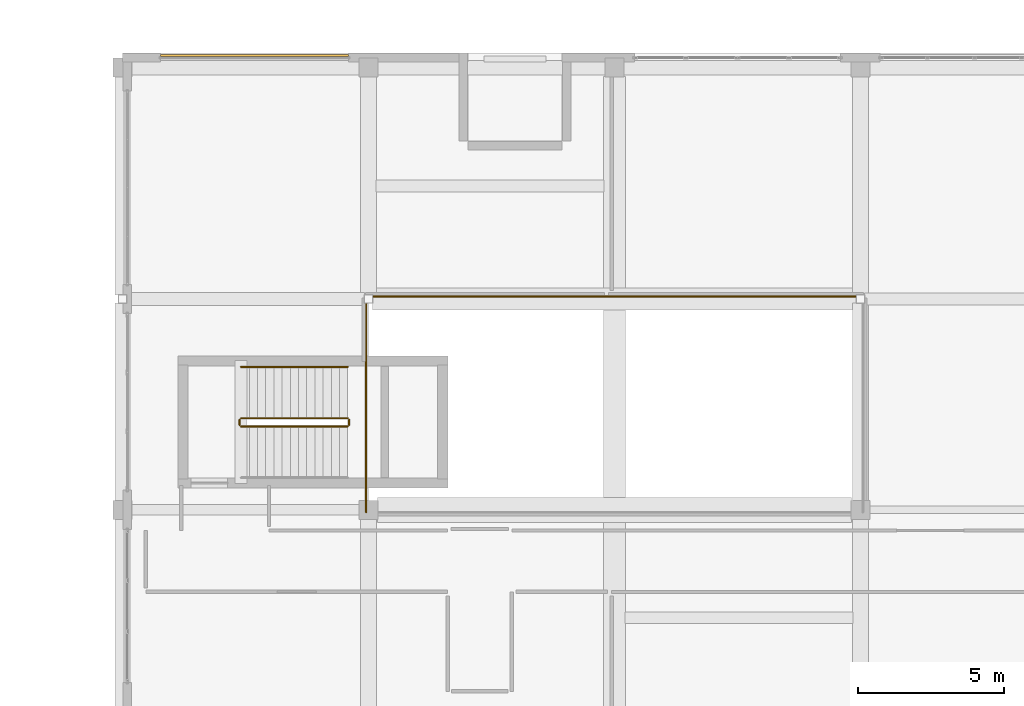
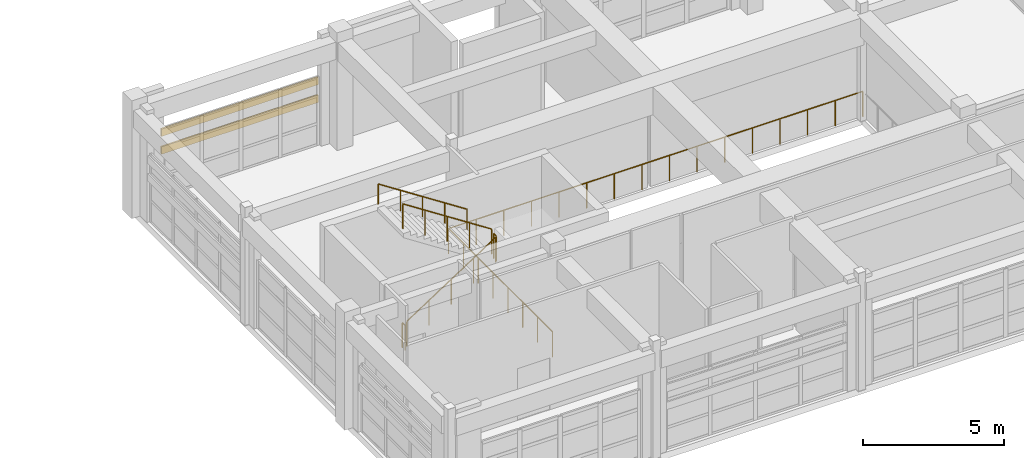
# One storey, part 102 of 103: 7 railings, 2 shading devices.
"""IFC4 building model written with IfcOpenShell, lengths in metres."""

import ifcopenshell
import ifcopenshell.guid

model = None  # the IFC model being written
_history = None  # IfcOwnerHistory: only IFC2X3 demands one
_inside = {}  # id of a spatial element -> (the spatial element, [elements in it])
_under = {}  # id of a project, library or spatial element -> (it, [spatial elements below it])
_declared = {}  # id of a project -> (the project, [libraries it declares])
_typed = {}  # id of a type object -> (the type object, [elements of that type])
_made_of = {}  # id of a material, layer set ... -> (it, [elements and type objects made of it])


def new_model(schema):
    """Start an empty IFC model of exactly this schema.

    Asked for "IFC4X3", IfcOpenShell would pick the latest addendum, in which some entities
    have other attributes; the version numbers below select the first issue.
    IFC2X3 requires an IfcOwnerHistory on every rooted entity: one is made here for all.
    """
    global model, _history
    if schema == "IFC4X3":
        model = ifcopenshell.file(schema_version=(4, 3, 0, 0))
    else:
        model = ifcopenshell.file(schema=schema)
    _inside.clear()
    _under.clear()
    _declared.clear()
    _typed.clear()
    _made_of.clear()
    _history = None
    if model.schema == "IFC2X3":
        org = make("IfcOrganization", Name="unknown")
        user = make(
            "IfcPersonAndOrganization",
            ThePerson=make("IfcPerson", FamilyName="unknown"),
            TheOrganization=org,
        )
        app = make(
            "IfcApplication",
            ApplicationDeveloper=org,
            Version="unknown",
            ApplicationFullName="unknown",
            ApplicationIdentifier="unknown",
        )
        _history = make(
            "IfcOwnerHistory",
            OwningUser=user,
            OwningApplication=app,
            ChangeAction="ADDED",
            CreationDate=0,
        )
    return model


def make(cls, **values):
    """One entity of the class cls with the attributes given. An attribute that is None is left unset."""
    return model.create_entity(
        cls, **{name: value for name, value in values.items() if value is not None}
    )


def rooted(cls, **values):
    """An entity with a GlobalId (a new one), such as an element, a storey or a relation."""
    return make(cls, GlobalId=ifcopenshell.guid.new(), OwnerHistory=_history, **values)


def si_unit(unit_type, name, prefix=None):
    """IfcSIUnit, for example si_unit("LENGTHUNIT", "METRE", prefix="MILLI")."""
    return make("IfcSIUnit", UnitType=unit_type, Prefix=prefix, Name=name)


def assignment(units):
    """IfcUnitAssignment: the units of a project."""
    return None if units is None else make("IfcUnitAssignment", Units=units)


def point(xyz):
    """IfcCartesianPoint."""
    return None if xyz is None else make("IfcCartesianPoint", Coordinates=xyz)


def direction(xyz):
    """IfcDirection."""
    return None if xyz is None else make("IfcDirection", DirectionRatios=xyz)


def frame(location, z_axis=None, x_axis=None):
    """IfcAxis2Placement3D, a coordinate frame: its origin and axes. An axis left out is left unset."""
    return make(
        "IfcAxis2Placement3D",
        Location=point(location),
        Axis=direction(z_axis),
        RefDirection=direction(x_axis),
    )


def frame_2d(location, x_axis=None):
    """IfcAxis2Placement2D, a coordinate frame in the plane: its origin and x axis."""
    return make(
        "IfcAxis2Placement2D", Location=point(location), RefDirection=direction(x_axis)
    )


def origin():
    """The frame at (0, 0, 0) with its axes left unset."""
    return frame((0.0, 0.0, 0.0))


def origin_2d():
    """The frame at (0, 0) in the plane with its x axis left unset."""
    return frame_2d((0.0, 0.0))


def place(relative_to, where):
    """IfcLocalPlacement: puts the frame where relative to a parent placement (None: the world)."""
    return make(
        "IfcLocalPlacement", PlacementRelTo=relative_to, RelativePlacement=where
    )


def context(
    kind, dimensions, precision=None, world=None, true_north=None, identifier=None
):
    """IfcGeometricRepresentationContext, for example the 3D "Model" context."""
    return make(
        "IfcGeometricRepresentationContext",
        ContextIdentifier=identifier,
        ContextType=kind,
        CoordinateSpaceDimension=dimensions,
        Precision=precision,
        WorldCoordinateSystem=world,
        TrueNorth=true_north,
    )


def subcontext(parent, identifier, kind, view, scale=None):
    """IfcGeometricRepresentationSubContext, for example "Body" below "Model"."""
    return make(
        "IfcGeometricRepresentationSubContext",
        ContextIdentifier=identifier,
        ContextType=kind,
        ParentContext=parent,
        TargetScale=scale,
        TargetView=view,
    )


def project(units=None, contexts=None):
    """IfcProject with its units and contexts."""
    return rooted(
        "IfcProject",
        Name="project",
        RepresentationContexts=contexts,
        UnitsInContext=assignment(units),
    )


def spatial(cls, under=None, at=None, **own):
    """A site, building, storey or space (cls), placed at a placement, below another one or the project."""
    s = rooted(cls, ObjectPlacement=at, **own)
    if under is not None:
        _under.setdefault(under.id(), (under, []))[1].append(s)
    return s


def profile(cls, at=None, kind="AREA", **sizes):
    """A parametric profile (cls). Its sizes go by their IFC names, for example OverallWidth=200.0."""
    return make(cls, ProfileType=kind, Position=at, **sizes)


def hollow_rectangle(**sizes):
    """IfcRectangleHollowProfileDef."""
    return profile("IfcRectangleHollowProfileDef", **sizes)


def circle(**sizes):
    """IfcCircleProfileDef."""
    return profile("IfcCircleProfileDef", **sizes)


def extrude(swept, where, along, depth):
    """IfcExtrudedAreaSolid: the profile swept, set in the frame where, extruded along a direction by depth."""
    return make(
        "IfcExtrudedAreaSolid",
        SweptArea=swept,
        Position=where,
        ExtrudedDirection=direction(along),
        Depth=depth,
    )


def shape(context_of_items, identifier, shape_type, items):
    """IfcShapeRepresentation: the items that make up one representation, for example the "Body"."""
    return make(
        "IfcShapeRepresentation",
        ContextOfItems=context_of_items,
        RepresentationIdentifier=identifier,
        RepresentationType=shape_type,
        Items=items,
    )


def material(Name=None, Category=None):
    """IfcMaterial."""
    return make("IfcMaterial", Name=Name, Category=Category)


def material_profile(
    of_material, cross_section, Name=None, Category=None, Priority=None
):
    """IfcMaterialProfile: a cross section and its material."""
    return make(
        "IfcMaterialProfile",
        Name=Name,
        Material=of_material,
        Profile=cross_section,
        Priority=Priority,
        Category=Category,
    )


def profile_set(profiles, Name=None, composite=None):
    """IfcMaterialProfileSet."""
    return make(
        "IfcMaterialProfileSet",
        Name=Name,
        MaterialProfiles=profiles,
        CompositeProfile=composite,
    )


def made_of(thing, what):
    """Note that an element or type object is made of a material, layer set ...; save() writes the relation."""
    if what is not None:
        _made_of.setdefault(what.id(), (what, []))[1].append(thing)
    return thing


def type_object(cls, material=None, **own):
    """A type object (cls), such as IfcWallType, which elements share."""
    return made_of(rooted(cls, **own), material)


def element(
    cls,
    number,
    at=None,
    inside=None,
    cuts=None,
    type_object=None,
    material=None,
    context=None,
    identifier="Body",
    shape_type=None,
    held_by="IfcProductDefinitionShape",
    body=None,
    shapes=None,
    **own,
):
    """One element of the class cls, such as IfcWall. Its Tag is "e" and its number.

    at: its placement. inside: the storey or other place that contains it. cuts: it is an
    opening in that element (IfcRelVoidsElement). A single representation is given by context,
    identifier, shape_type and body (its items); several are given by shapes. held_by: the class
    of the entity that holds the representations. save() writes the other relations.
    """
    e = rooted(cls, Tag="e%d" % number, ObjectPlacement=at, **own)
    if body is not None:
        shapes = [shape(context, identifier, shape_type, body)]
    if shapes is not None:
        e.Representation = make(held_by, Representations=shapes)
    if inside is not None:
        _inside.setdefault(inside.id(), (inside, []))[1].append(e)
    if cuts is not None:
        rooted(
            "IfcRelVoidsElement", RelatingBuildingElement=cuts, RelatedOpeningElement=e
        )
    if type_object is not None:
        _typed.setdefault(type_object.id(), (type_object, []))[1].append(e)
    return made_of(e, material)


def aggregate(whole, parts):
    """IfcRelAggregates: a whole, such as a stair, and the parts it consists of."""
    return rooted("IfcRelAggregates", RelatingObject=whole, RelatedObjects=parts)


def save(model, path):
    """Write the relations noted so far, then the file.

    IfcRelAggregates (storeys below a building ...), IfcRelContainedInSpatialStructure (elements
    in a storey), IfcRelDefinesByType, IfcRelAssociatesMaterial and IfcRelDeclares: one each for
    every whole, place, type object, material and project.
    """
    for whole, parts in _under.values():
        aggregate(whole, parts)
    for where, things in _inside.values():
        rooted(
            "IfcRelContainedInSpatialStructure",
            RelatedElements=things,
            RelatingStructure=where,
        )
    for kind, things in _typed.values():
        rooted("IfcRelDefinesByType", RelatedObjects=things, RelatingType=kind)
    for what, things in _made_of.values():
        rooted("IfcRelAssociatesMaterial", RelatedObjects=things, RelatingMaterial=what)
    for by, libraries in _declared.values():
        rooted("IfcRelDeclares", RelatingContext=by, RelatedDefinitions=libraries)
    model.write(path)


model = new_model("IFC4")

# Units and contexts
model_context = context("Model", 3, precision=1e-05, world=origin(), true_north=direction((0.0, 1.0)))
body_context = subcontext(model_context, "Body", "Model", "MODEL_VIEW")
ifc_project = project(units=[si_unit("LENGTHUNIT", "METRE"), si_unit("AREAUNIT", "SQUARE_METRE"), si_unit("VOLUMEUNIT", "CUBIC_METRE"), si_unit("PLANEANGLEUNIT", "RADIAN"), si_unit("MASSUNIT", "GRAM", prefix="KILO")], contexts=[model_context])

# Site, building, storey
site_placement = place(None, origin())
site = spatial("IfcSite", under=ifc_project, at=site_placement, CompositionType="ELEMENT")
building_placement = place(site_placement, origin())
building = spatial("IfcBuilding", under=site, at=building_placement, Name="Quendrovan Civic Courthouse", CompositionType="ELEMENT")
storey_placement = place(building_placement, frame((0.0, 0.0, 15.300048828125)))
storey = spatial("IfcBuildingStorey", under=building, at=storey_placement, Name="L04", CompositionType="ELEMENT", Elevation=15.300048828125)

# Railings
ifc_material_1 = material(Name="Bronze anodised aluminium", Category="aluminium")
railing_type_1 = type_object("IfcRailingType", Name="RL-ATR-GUARD1100", PredefinedType="GUARDRAIL", material=ifc_material_1)
railing_1_placement = place(storey_placement, frame((134.47998046875, 102.080078125, 0.0)))
element("IfcRailing", 1, at=railing_1_placement, inside=storey, type_object=railing_type_1, Name="L04 Atrium and Well Perimeter Guardrail 030", PredefinedType="GUARDRAIL", context=body_context, shape_type="SweptSolid", body=[
    extrude(circle(Radius=0.02392578125, at=origin_2d()), frame((0.0, 0.0, 1.09619140625), z_axis=(-1.0, 0.0, 0.0), x_axis=(0.0, -1.0, 0.0)), (0.0, 0.0, 1.0), 16.9599609375),
    extrude(circle(Radius=0.02099609375, at=origin_2d()), origin(), (0.0, 0.0, 1.0), 1.072021484375),
    extrude(circle(Radius=0.02099609375, at=origin_2d()), frame((-1.130615234375, 0.0, 0.0)), (0.0, 0.0, 1.0), 1.072021484375),
    extrude(circle(Radius=0.02099609375, at=origin_2d()), frame((-2.26123046875, 0.0, 0.0)), (0.0, 0.0, 1.0), 1.072021484375),
    extrude(circle(Radius=0.02099609375, at=origin_2d()), frame((-3.39208984375, 0.0, 0.0)), (0.0, 0.0, 1.0), 1.072021484375),
    extrude(circle(Radius=0.02099609375, at=origin_2d()), frame((-4.522705078125, 0.0, 0.0)), (0.0, 0.0, 1.0), 1.072021484375),
    extrude(circle(Radius=0.02099609375, at=origin_2d()), frame((-5.6533203125, 0.0, 0.0)), (0.0, 0.0, 1.0), 1.072021484375),
    extrude(circle(Radius=0.02099609375, at=origin_2d()), frame((-6.783935546875, 0.0, 0.0)), (0.0, 0.0, 1.0), 1.072021484375),
    extrude(circle(Radius=0.02099609375, at=origin_2d()), frame((-7.91455078125, 0.0, 0.0)), (0.0, 0.0, 1.0), 1.072021484375),
    extrude(circle(Radius=0.02099609375, at=origin_2d()), frame((-9.04541015625, 0.0, 0.0)), (0.0, 0.0, 1.0), 1.072021484375),
    extrude(circle(Radius=0.02099609375, at=origin_2d()), frame((-10.176025390625, 0.0, 0.0)), (0.0, 0.0, 1.0), 1.072021484375),
    extrude(circle(Radius=0.02099609375, at=origin_2d()), frame((-11.306640625, 0.0, 0.0)), (0.0, 0.0, 1.0), 1.072021484375),
    extrude(circle(Radius=0.02099609375, at=origin_2d()), frame((-12.437255859375, 0.0, 0.0)), (0.0, 0.0, 1.0), 1.072021484375),
    extrude(circle(Radius=0.02099609375, at=origin_2d()), frame((-13.56787109375, 0.0, 0.0)), (0.0, 0.0, 1.0), 1.072021484375),
    extrude(circle(Radius=0.02099609375, at=origin_2d()), frame((-14.69873046875, 0.0, 0.0)), (0.0, 0.0, 1.0), 1.072021484375),
    extrude(circle(Radius=0.02099609375, at=origin_2d()), frame((-15.829345703125, 0.0, 0.0)), (0.0, 0.0, 1.0), 1.072021484375),
    extrude(circle(Radius=0.02099609375, at=origin_2d()), frame((-16.9599609375, 0.0, 0.0)), (0.0, 0.0, 1.0), 1.072021484375),
])
railing_2_placement = place(storey_placement, frame((117.52001953125, 102.080078125, 0.0)))
element("IfcRailing", 2, at=railing_2_placement, inside=storey, type_object=railing_type_1, Name="L04 Atrium and Well Perimeter Guardrail 031", PredefinedType="GUARDRAIL", context=body_context, shape_type="SweptSolid", body=[
    extrude(circle(Radius=0.02392578125, at=origin_2d()), frame((0.0, 0.0, 1.09619140625), z_axis=(0.0, -1.0, 0.0), x_axis=(1.0, 0.0, 0.0)), (0.0, 0.0, 1.0), 7.360107421875),
    extrude(circle(Radius=0.02099609375, at=origin_2d()), origin(), (0.0, 0.0, 1.0), 1.072021484375),
    extrude(circle(Radius=0.02099609375, at=origin_2d()), frame((0.0, -1.051513671875, 0.0)), (0.0, 0.0, 1.0), 1.072021484375),
    extrude(circle(Radius=0.02099609375, at=origin_2d()), frame((0.0, -2.102783203125, 0.0)), (0.0, 0.0, 1.0), 1.072021484375),
    extrude(circle(Radius=0.02099609375, at=origin_2d()), frame((0.0, -3.154296875, 0.0)), (0.0, 0.0, 1.0), 1.072021484375),
    extrude(circle(Radius=0.02099609375, at=origin_2d()), frame((0.0, -4.205810546875, 0.0)), (0.0, 0.0, 1.0), 1.072021484375),
    extrude(circle(Radius=0.02099609375, at=origin_2d()), frame((0.0, -5.25732421875, 0.0)), (0.0, 0.0, 1.0), 1.072021484375),
    extrude(circle(Radius=0.02099609375, at=origin_2d()), frame((0.0, -6.30859375, 0.0)), (0.0, 0.0, 1.0), 1.072021484375),
    extrude(circle(Radius=0.02099609375, at=origin_2d()), frame((0.0, -7.360107421875, 0.0)), (0.0, 0.0, 1.0), 1.072021484375),
])
ifc_material_2 = material(Name="Painted galvanized steel", Category="steel")
railing_type_2 = type_object("IfcRailingType", Name="RL-STR-GUARD1100", PredefinedType="GUARDRAIL", material=ifc_material_2)
railing_3_placement = place(storey_placement, frame((113.25, 97.64990234375, 0.18212890625)))
element("IfcRailing", 3, at=railing_3_placement, inside=storey, type_object=railing_type_2, Name="L04 ST6 stair guard 1", PredefinedType="GUARDRAIL", context=body_context, shape_type="SweptSolid", body=[
    extrude(circle(Radius=0.02392578125, at=origin_2d()), frame((0.0, 0.0, 1.076171875), z_axis=(0.838234174257, 0.0, 0.545310433706), x_axis=(0.0, 1.0, 0.0)), (0.0, 0.0, 1.0), 4.34228515625),
    extrude(circle(Radius=0.02099609375, at=origin_2d()), origin(), (0.0, 0.0, 1.0), 1.052001953125),
    extrude(circle(Radius=0.02099609375, at=origin_2d()), frame((0.909912109375, 0.0, 0.592041015625)), (0.0, 0.0, 1.0), 1.052001953125),
    extrude(circle(Radius=0.02099609375, at=origin_2d()), frame((1.81982421875, 0.0, 1.18408203125)), (0.0, 0.0, 1.0), 1.052001953125),
    extrude(circle(Radius=0.02099609375, at=origin_2d()), frame((2.72998046875, 0.0, 1.77587890625)), (0.0, 0.0, 1.0), 1.052001953125),
    extrude(circle(Radius=0.02099609375, at=origin_2d()), frame((3.639892578125, 0.0, 2.367919921875)), (0.0, 0.0, 1.0), 1.052001953125),
])
railing_4_placement = place(storey_placement, frame((116.93994140625, 97.699951171875, 2.550048828125)))
element("IfcRailing", 4, at=railing_4_placement, inside=storey, type_object=railing_type_2, Name="L04 ST6 stair guard 2", PredefinedType="GUARDRAIL", context=body_context, shape_type="SweptSolid", body=[
    extrude(circle(Radius=0.02392578125, at=origin_2d()), frame((0.0, 0.0, 1.076171875), z_axis=(0.0, 1.0, 0.0), x_axis=(-1.0, 0.0, 0.0)), (0.0, 0.0, 1.0), 0.179931640625),
    extrude(circle(Radius=0.02099609375, at=origin_2d()), origin(), (0.0, 0.0, 1.0), 1.052001953125),
    extrude(circle(Radius=0.02099609375, at=origin_2d()), frame((0.0, 0.179931640625, 0.0)), (0.0, 0.0, 1.0), 1.052001953125),
])
railing_5_placement = place(storey_placement, frame((116.889892578125, 97.929931640625, 2.732177734375)))
element("IfcRailing", 5, at=railing_5_placement, inside=storey, type_object=railing_type_2, Name="L04 ST6 stair guard 3", PredefinedType="GUARDRAIL", context=body_context, shape_type="SweptSolid", body=[
    extrude(circle(Radius=0.02392578125, at=origin_2d()), frame((0.0, 0.0, 1.076171875), z_axis=(-0.838259873693, 0.0, 0.545270927297), x_axis=(0.0, -1.0, 0.0)), (0.0, 0.0, 1.0), 4.34228515625),
    extrude(circle(Radius=0.02099609375, at=origin_2d()), origin(), (0.0, 0.0, 1.0), 1.052001953125),
    extrude(circle(Radius=0.02099609375, at=origin_2d()), frame((-0.909912109375, 0.0, 0.591796875)), (0.0, 0.0, 1.0), 1.052001953125),
    extrude(circle(Radius=0.02099609375, at=origin_2d()), frame((-1.81982421875, 0.0, 1.183837890625)), (0.0, 0.0, 1.0), 1.052001953125),
    extrude(circle(Radius=0.02099609375, at=origin_2d()), frame((-2.72998046875, 0.0, 1.77587890625)), (0.0, 0.0, 1.0), 1.052001953125),
    extrude(circle(Radius=0.02099609375, at=origin_2d()), frame((-3.639892578125, 0.0, 2.36767578125)), (0.0, 0.0, 1.0), 1.052001953125),
])
railing_6_placement = place(storey_placement, frame((113.199951171875, 97.699951171875, 0.0)))
element("IfcRailing", 6, at=railing_6_placement, inside=storey, type_object=railing_type_2, Name="L04 ST6 stair guard 4", PredefinedType="GUARDRAIL", context=body_context, shape_type="SweptSolid", body=[
    extrude(circle(Radius=0.02392578125, at=origin_2d()), frame((0.0, 0.0, 1.076171875), z_axis=(0.0, 1.0, 0.0), x_axis=(-1.0, 0.0, 0.0)), (0.0, 0.0, 1.0), 0.179931640625),
    extrude(circle(Radius=0.02099609375, at=origin_2d()), origin(), (0.0, 0.0, 1.0), 1.052001953125),
    extrude(circle(Radius=0.02099609375, at=origin_2d()), frame((0.0, 0.179931640625, 0.0)), (0.0, 0.0, 1.0), 1.052001953125),
])
railing_type_3 = type_object("IfcRailingType", Name="RL-STR-HAND900", PredefinedType="HANDRAIL", material=ifc_material_1)
railing_7_placement = place(storey_placement, frame((116.889892578125, 99.679931640625, 2.732177734375)))
element("IfcRailing", 7, at=railing_7_placement, inside=storey, type_object=railing_type_3, Name="L04 ST6 stair handrail 2", PredefinedType="HANDRAIL", context=body_context, shape_type="SweptSolid", body=[
    extrude(circle(Radius=0.02392578125, at=origin_2d()), frame((0.0, 0.0, 0.8759765625), z_axis=(-0.838259873693, 0.0, 0.545270927297), x_axis=(0.0, -1.0, 0.0)), (0.0, 0.0, 1.0), 4.34228515625),
    extrude(circle(Radius=0.02099609375, at=origin_2d()), origin(), (0.0, 0.0, 1.0), 0.851806640625),
    extrude(circle(Radius=0.02099609375, at=origin_2d()), frame((-0.909912109375, 0.0, 0.591796875)), (0.0, 0.0, 1.0), 0.851806640625),
    extrude(circle(Radius=0.02099609375, at=origin_2d()), frame((-1.81982421875, 0.0, 1.183837890625)), (0.0, 0.0, 1.0), 0.851806640625),
    extrude(circle(Radius=0.02099609375, at=origin_2d()), frame((-2.72998046875, 0.0, 1.77587890625)), (0.0, 0.0, 1.0), 0.851806640625),
    extrude(circle(Radius=0.02099609375, at=origin_2d()), frame((-3.639892578125, 0.0, 2.36767578125)), (0.0, 0.0, 1.0), 0.851806640625),
])

# Shading devices
ifc_material_profile = material_profile(ifc_material_1, hollow_rectangle(XDim=0.06494140625, YDim=0.320068359375, WallThickness=0.0048828125, at=origin_2d()), Name="AL-LOUVRE-65x320")
ifc_profile_set = profile_set([ifc_material_profile], Name="Bronze anodised aluminium")
shading_device_type = type_object("IfcShadingDeviceType", Name="SHD-STORM-LOUVRE", PredefinedType="JALOUSIE", material=ifc_profile_set)
for number, where, z_axis, x_axis, name in (
    (8, (110.5, 110.31494140625, 1.949951171875), (1.0, 0.0, 0.0), (0.0, 1.0, 0.0), "L04 Bronze Hurricane Storm Louvre SLV-167"),
    (9, (110.5, 110.31494140625, 2.719970703125), (1.0, 0.0, 0.0), (0.0, 1.0, 0.0), "L04 Bronze Hurricane Storm Louvre SLV-168"),
):
    element("IfcShadingDevice", number, at=place(storey_placement, frame(where, z_axis=z_axis, x_axis=x_axis)), inside=storey, type_object=shading_device_type, Name=name, PredefinedType="JALOUSIE", context=body_context, shape_type="SweptSolid", body=[
        extrude(hollow_rectangle(XDim=0.06494140625, YDim=0.320068359375, WallThickness=0.0048828125, at=origin_2d()), origin(), (0.0, 0.0, 1.0), 6.425048828125),
    ])

save(model, "model.ifc")
